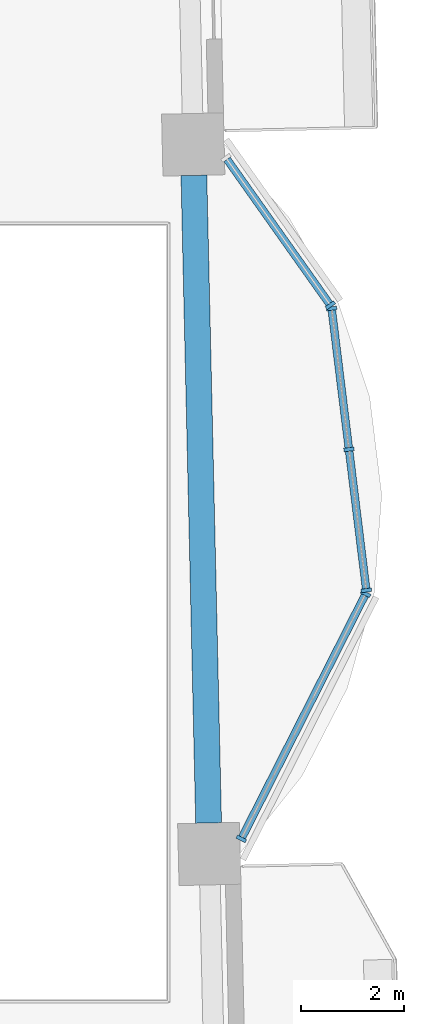
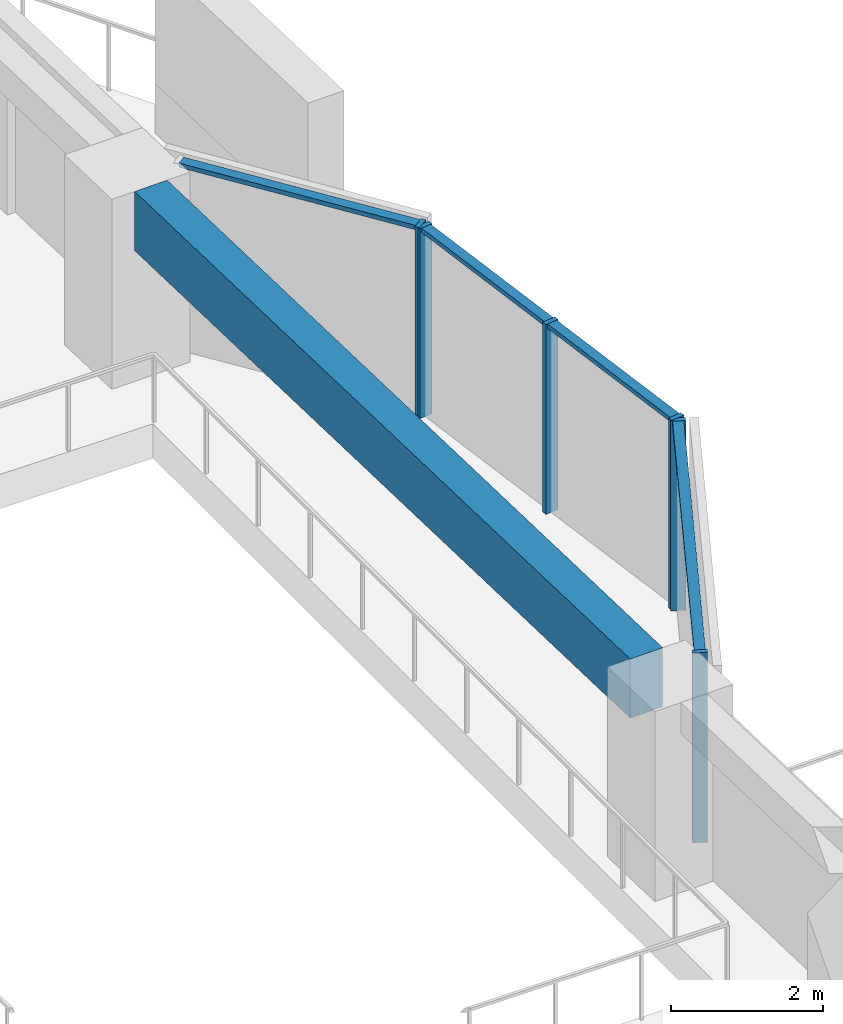
# One storey, part 2 of 16: 10 members, 1 beam, 3 elements without a shape of their own.
"""IFC4 building model written with IfcOpenShell, lengths in metres."""

from ifc_helpers import new_model, si_unit, direction, frame, origin, origin_2d, place, context, subcontext, project, spatial, rectangle, extrude, material, material_profile, profile_set, type_object, element, aggregate, save


model = new_model("IFC4")

# Units and contexts
model_context = context("Model", 3, precision=1e-05, world=origin(), true_north=direction((0.0, 1.0)))
body_context = subcontext(model_context, "Body", "Model", "MODEL_VIEW")
ifc_project = project(units=[si_unit("LENGTHUNIT", "METRE"), si_unit("AREAUNIT", "SQUARE_METRE"), si_unit("VOLUMEUNIT", "CUBIC_METRE"), si_unit("PLANEANGLEUNIT", "RADIAN"), si_unit("MASSUNIT", "GRAM", prefix="KILO")], contexts=[model_context])

# Site, building, storey
site_placement = place(None, origin())
site = spatial("IfcSite", under=ifc_project, at=site_placement, CompositionType="ELEMENT")
building_placement = place(site_placement, origin())
building = spatial("IfcBuilding", under=site, at=building_placement, Name="Mangrove Gate Tower", CompositionType="ELEMENT")
storey_placement = place(building_placement, frame((0.0, 0.0, 175.300048828125)))
storey = spatial("IfcBuildingStorey", under=building, at=storey_placement, Name="L44", CompositionType="ELEMENT", Elevation=175.300048828125)

# Curtain wall, members
ifc_material_1 = material(Name="Aluminium and glass curtain wall", Category="aluminium")
curtain_wall_type = type_object("IfcCurtainWallType", Name="Atrium garden-court glazing wall", PredefinedType="NOTDEFINED", material=ifc_material_1)
curtain_wall_1_placement = place(storey_placement, origin())
curtain_wall_1 = element("IfcCurtainWall", 1, at=curtain_wall_1_placement, inside=storey, type_object=curtain_wall_type, Name="Atrium garden-court glazing E1f1", PredefinedType="NOTDEFINED")
ifc_material_2 = material(Name="Aluminium alloy 6063-T6", Category="aluminium")
ifc_material_profile_1 = material_profile(ifc_material_2, rectangle(XDim=0.070068359375, YDim=0.199951171875, at=origin_2d()))
ifc_profile_set_1 = profile_set([ifc_material_profile_1], Name="Aluminium alloy 6063-T6")
member_type_1 = type_object("IfcMemberType", Name="Atrium garden-court glazing mullion 70x200", PredefinedType="MULLION", material=ifc_profile_set_1)
member_1_placement = place(storey_placement, frame((26.41015625, -4.387451171875, 0.0), z_axis=(0.0, 0.0, 1.0), x_axis=(0.452578247326, 0.891724694089, 0.0)))
member_1 = element("IfcMember", 2, at=member_1_placement, type_object=member_type_1, Name="CWA mullion 1", PredefinedType="MULLION", context=body_context, shape_type="SweptSolid", body=[
    extrude(rectangle(XDim=0.070068359375, YDim=0.199951171875, at=origin_2d()), origin(), (0.0, 0.0, 1.0), 3.050048828125),
])
member_2_placement = place(storey_placement, frame((28.8212890625, 0.363037109375, 0.0), z_axis=(0.0, 0.0, 1.0), x_axis=(0.452578247326, 0.891724694089, 0.0)))
member_2 = element("IfcMember", 3, at=member_2_placement, type_object=member_type_1, Name="CWA mullion 2", PredefinedType="MULLION", context=body_context, shape_type="SweptSolid", body=[
    extrude(rectangle(XDim=0.070068359375, YDim=0.199951171875, at=origin_2d()), origin(), (0.0, 0.0, 1.0), 3.050048828125),
])

curtain_wall_2_placement = place(storey_placement, origin())
curtain_wall_2 = element("IfcCurtainWall", 4, at=curtain_wall_2_placement, inside=storey, type_object=curtain_wall_type, Name="Atrium garden-court glazing E1f2", PredefinedType="NOTDEFINED")
member_3_placement = place(storey_placement, frame((28.8330078125, 0.428955078125, 0.0), z_axis=(0.0, 0.0, 1.0), x_axis=(-0.122172286076, 0.992508908028, 0.0)))
member_3 = element("IfcMember", 5, at=member_3_placement, type_object=member_type_1, Name="CWA mullion 1", PredefinedType="MULLION", context=body_context, shape_type="SweptSolid", body=[
    extrude(rectangle(XDim=0.070068359375, YDim=0.199951171875, at=origin_2d()), origin(), (0.0, 0.0, 1.0), 3.050048828125),
])
member_4_placement = place(storey_placement, frame((28.496826171875, 3.16015625, 0.0), z_axis=(0.0, 0.0, 1.0), x_axis=(-0.122172286076, 0.992508908028, 0.0)))
member_4 = element("IfcMember", 6, at=member_4_placement, type_object=member_type_1, Name="CWA mullion 2", PredefinedType="MULLION", context=body_context, shape_type="SweptSolid", body=[
    extrude(rectangle(XDim=0.070068359375, YDim=0.199951171875, at=origin_2d()), origin(), (0.0, 0.0, 1.0), 3.050048828125),
])
member_5_placement = place(storey_placement, frame((28.16064453125, 5.89111328125, 0.0), z_axis=(0.0, 0.0, 1.0), x_axis=(-0.122172286076, 0.992508908028, 0.0)))
member_5 = element("IfcMember", 7, at=member_5_placement, type_object=member_type_1, Name="CWA mullion 3", PredefinedType="MULLION", context=body_context, shape_type="SweptSolid", body=[
    extrude(rectangle(XDim=0.070068359375, YDim=0.199951171875, at=origin_2d()), origin(), (0.0, 0.0, 1.0), 3.050048828125),
])

# Curtain wall, member
curtain_wall_3_placement = place(storey_placement, origin())
curtain_wall_3 = element("IfcCurtainWall", 8, at=curtain_wall_3_placement, inside=storey, type_object=curtain_wall_type, Name="Atrium garden-court glazing E1f3", PredefinedType="NOTDEFINED")
member_6_placement = place(storey_placement, frame((28.135986328125, 5.95458984375, 0.0), z_axis=(0.0, 0.0, 1.0), x_axis=(-0.578106334278, 0.815961436753, 0.0)))
member_6 = element("IfcMember", 9, at=member_6_placement, type_object=member_type_1, Name="CWA mullion 1", PredefinedType="MULLION", context=body_context, shape_type="SweptSolid", body=[
    extrude(rectangle(XDim=0.070068359375, YDim=0.199951171875, at=origin_2d()), origin(), (0.0, 0.0, 1.0), 3.050048828125),
])

# Member
ifc_material_3 = material(Name="Aluminium alloy 6063-T6", Category="aluminium")
ifc_material_profile_2 = material_profile(ifc_material_3, rectangle(XDim=0.070068359375, YDim=0.14990234375, at=origin_2d()))
ifc_profile_set_2 = profile_set([ifc_material_profile_2], Name="Aluminium alloy 6063-T6")
member_type_2 = type_object("IfcMemberType", Name="Atrium garden-court glazing transom 70x150", PredefinedType="USERDEFINED", material=ifc_profile_set_2)
member_7_placement = place(storey_placement, frame((26.426025390625, -4.3564453125, 3.014892578125), z_axis=(0.452573642037, 0.891727031402, 0.0), x_axis=(0.0, 0.0, 1.0)))
member_7 = element("IfcMember", 10, at=member_7_placement, type_object=member_type_2, Name="CWA transom 1.2", ObjectType="TRANSOM", PredefinedType="USERDEFINED", context=body_context, shape_type="SweptSolid", body=[
    extrude(rectangle(XDim=0.070068359375, YDim=0.14990234375, at=origin_2d()), origin(), (0.0, 0.0, 1.0), 5.257568359375),
])

aggregate(curtain_wall_1, [member_1, member_2, member_7])

member_8_placement = place(storey_placement, frame((28.82861328125, 0.463623046875, 3.014892578125), z_axis=(-0.122174517154, 0.992508633392, 0.0), x_axis=(0.0, 0.0, 1.0)))
member_8 = element("IfcMember", 11, at=member_8_placement, type_object=member_type_2, Name="CWA transom 1.2", ObjectType="TRANSOM", PredefinedType="USERDEFINED", context=body_context, shape_type="SweptSolid", body=[
    extrude(rectangle(XDim=0.070068359375, YDim=0.14990234375, at=origin_2d()), origin(), (0.0, 0.0, 1.0), 2.681640625),
])

member_9_placement = place(storey_placement, frame((28.492431640625, 3.19482421875, 3.014892578125), z_axis=(-0.122174517154, 0.992508633392, 0.0), x_axis=(0.0, 0.0, 1.0)))
member_9 = element("IfcMember", 12, at=member_9_placement, type_object=member_type_2, Name="CWA transom 2.2", ObjectType="TRANSOM", PredefinedType="USERDEFINED", context=body_context, shape_type="SweptSolid", body=[
    extrude(rectangle(XDim=0.070068359375, YDim=0.14990234375, at=origin_2d()), origin(), (0.0, 0.0, 1.0), 2.681640625),
])

aggregate(curtain_wall_2, [member_3, member_4, member_5, member_8, member_9])

member_10_placement = place(storey_placement, frame((28.11572265625, 5.983154296875, 3.014892578125), z_axis=(-0.578094404228, 0.815969889028, 0.0), x_axis=(0.0, 0.0, 1.0)))
member_10 = element("IfcMember", 13, at=member_10_placement, type_object=member_type_2, Name="CWA transom 1.2", ObjectType="TRANSOM", PredefinedType="USERDEFINED", context=body_context, shape_type="SweptSolid", body=[
    extrude(rectangle(XDim=0.070068359375, YDim=0.14990234375, at=origin_2d()), origin(), (0.0, 0.0, 1.0), 3.427978515625),
])

aggregate(curtain_wall_3, [member_6, member_10])

# Beam
ifc_material_4 = material(Name="Concrete C50/60", Category="concrete")
ifc_material_profile_3 = material_profile(ifc_material_4, rectangle(XDim=0.5, YDim=0.949951171875, at=origin_2d()))
ifc_profile_set_3 = profile_set([ifc_material_profile_3], Name="Concrete C50/60")
beam_type = type_object("IfcBeamType", Name="Edge beam RC 500x950 C50/60", PredefinedType="BEAM", material=ifc_profile_set_3)
beam_placement = place(storey_placement, frame((25.776611328125, -4.078857421875, 2.574951171875), z_axis=(-0.022699313353, 0.999742337392, 0.0), x_axis=(-0.999742337392, -0.022699313353, 0.0)))
element("IfcBeam", 14, at=beam_placement, inside=storey, type_object=beam_type, Name="Edge beam L44 14", PredefinedType="BEAM", context=body_context, shape_type="SweptSolid", body=[
    extrude(rectangle(XDim=0.5, YDim=0.949951171875, at=origin_2d()), origin(), (0.0, 0.0, 1.0), 12.551513671875),
])

save(model, "model.ifc")
